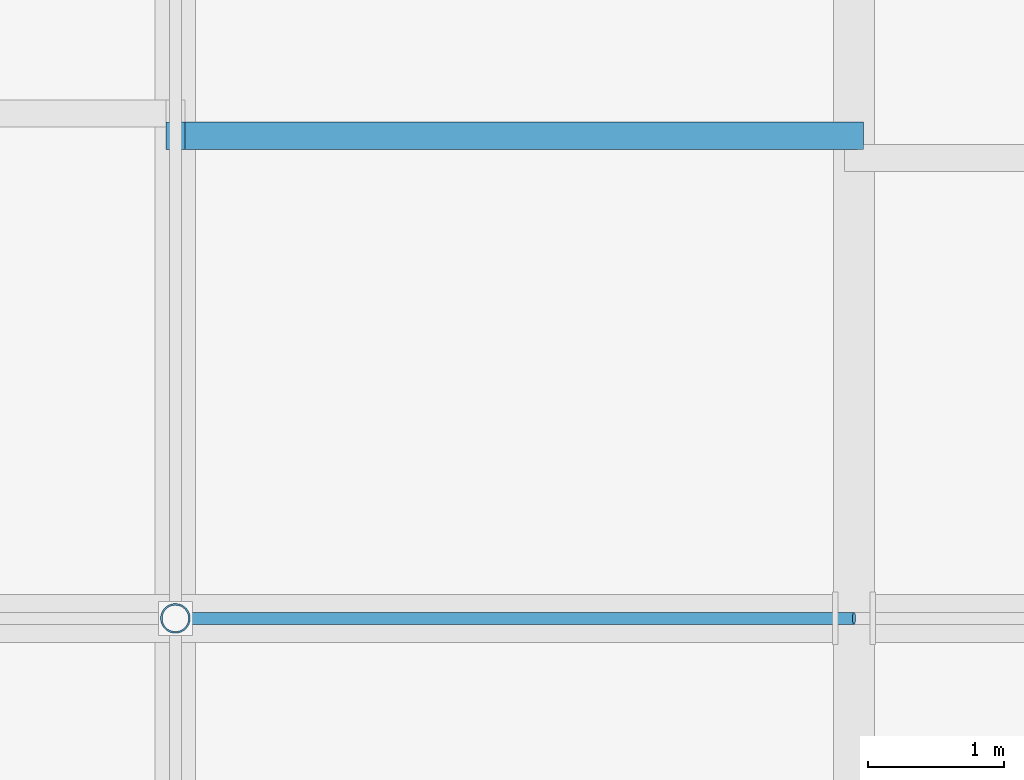
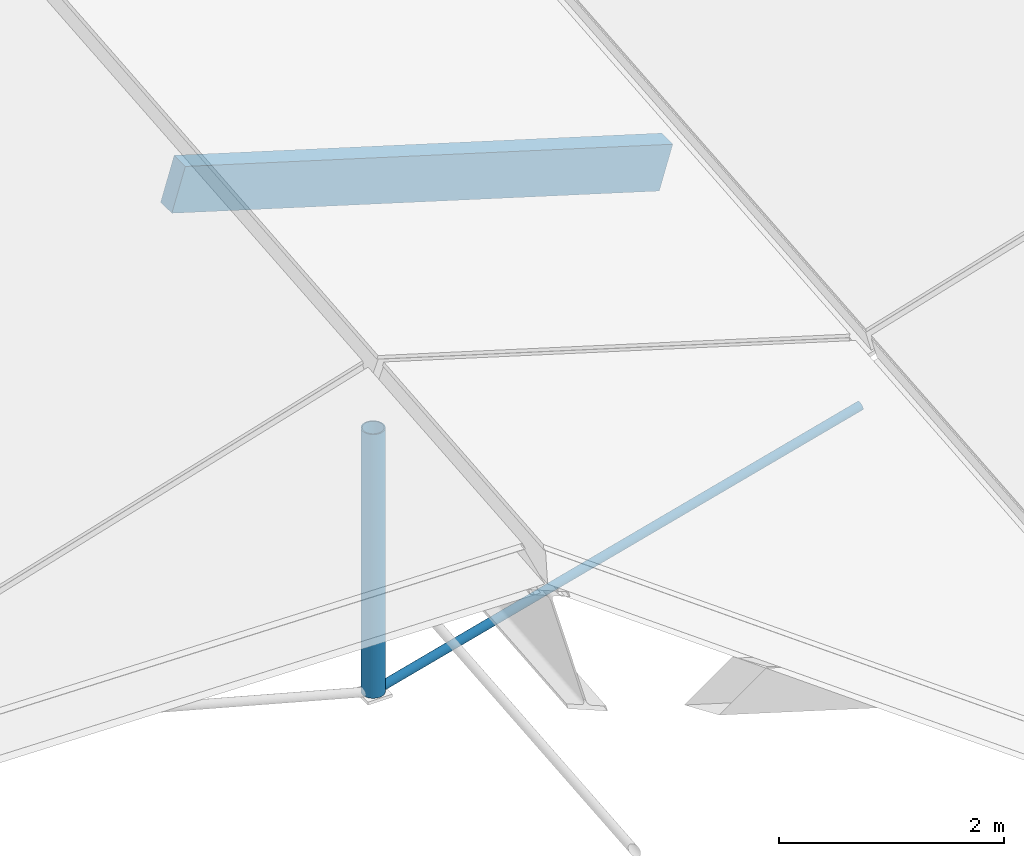
# One storey, part 40 of 90: 3 members.
"""IFC4 building model written with IfcOpenShell, lengths in metres."""

from ifc_helpers import new_model, si_unit, direction, frame, origin, origin_2d, place, context, subcontext, project, spatial, rectangle, circle, hollow_circle, extrude, material, material_profile, profile_set, type_object, element, save


model = new_model("IFC4")

# Units and contexts
model_context = context("Model", 3, precision=1e-05, world=origin(), true_north=direction((0.0, 1.0)))
body_context = subcontext(model_context, "Body", "Model", "MODEL_VIEW")
ifc_project = project(units=[si_unit("LENGTHUNIT", "METRE"), si_unit("AREAUNIT", "SQUARE_METRE"), si_unit("VOLUMEUNIT", "CUBIC_METRE"), si_unit("PLANEANGLEUNIT", "RADIAN"), si_unit("MASSUNIT", "GRAM", prefix="KILO"), si_unit("THERMODYNAMICTEMPERATUREUNIT", "KELVIN"), si_unit("POWERUNIT", "WATT")], contexts=[model_context])

# Site, building, storey
site_placement = place(None, origin())
site = spatial("IfcSite", under=ifc_project, at=site_placement, CompositionType="ELEMENT")
building_placement = place(site_placement, origin())
building = spatial("IfcBuilding", under=site, at=building_placement, Name="Korenveer Ferry Terminal", CompositionType="ELEMENT")
storey_placement = place(building_placement, frame((0.0, 0.0, 22.199951171875)))
storey = spatial("IfcBuildingStorey", under=building, at=storey_placement, Name="RF", CompositionType="ELEMENT", Elevation=22.199951171875)

# Members
ifc_material_1 = material(Name="High-strength steel S460", Category="steel")
ifc_material_profile_1 = material_profile(ifc_material_1, circle(Radius=0.044921875, at=origin_2d()), Name="ROD D90")
ifc_profile_set_1 = profile_set([ifc_material_profile_1], Name="High-strength steel S460")
member_type_1 = type_object("IfcMemberType", Name="STR-CBL-D90", PredefinedType="USERDEFINED", material=ifc_profile_set_1)
member_1_placement = place(storey_placement, frame((103.0, 80.0, -5.95361328125), z_axis=(-0.965424337217, 0.0, -0.260683426993), x_axis=(0.0, -1.0, 0.0)))
element("IfcMember", 1, at=member_1_placement, inside=storey, type_object=member_type_1, Name="Roof tension tie cable 66", ObjectType="CABLE", PredefinedType="USERDEFINED", context=body_context, shape_type="SweptSolid", body=[
    extrude(circle(Radius=0.044921875, at=origin_2d()), origin(), (0.0, 0.0, 1.0), 5.178955078125),
])
ifc_material_2 = material(Name="Glulam GL28h", Category="wood")
ifc_material_profile_2 = material_profile(ifc_material_2, rectangle(XDim=0.199951171875, YDim=0.47998046875, at=origin_2d()), Name="GL 200x480")
ifc_profile_set_2 = profile_set([ifc_material_profile_2], Name="Glulam GL28h")
member_type_2 = type_object("IfcMemberType", Name="STR-PUR-GL200", PredefinedType="PURLIN", material=ifc_profile_set_2)
member_2_placement = place(storey_placement, frame((98.0, 83.5556640625, -3.962646484375), z_axis=(0.957310140112, 0.0, -0.289062788401), x_axis=(0.0, 1.0, 0.0)))
element("IfcMember", 2, at=member_2_placement, inside=storey, type_object=member_type_2, Name="Folded roof glulam purlin 175", PredefinedType="PURLIN", context=body_context, shape_type="SweptSolid", body=[
    extrude(rectangle(XDim=0.199951171875, YDim=0.47998046875, at=origin_2d()), origin(), (0.0, 0.0, 1.0), 5.222900390625),
])
ifc_material_3 = material(Name="Steel S355", Category="steel")
ifc_material_profile_3 = material_profile(ifc_material_3, hollow_circle(Radius=0.109619140625, WallThickness=0.012451171875, at=origin_2d()), Name="CHS 219.1x12.5")
ifc_profile_set_3 = profile_set([ifc_material_profile_3], Name="Steel S355")
member_type_3 = type_object("IfcMemberType", Name="STR-STT-CHS219", PredefinedType="STRUT", material=ifc_profile_set_3)
member_3_placement = place(storey_placement, frame((98.0, 80.0, -7.3037109375), z_axis=(0.0, 0.0, 1.0), x_axis=(1.0, 0.0, 0.0)))
element("IfcMember", 3, at=member_3_placement, inside=storey, type_object=member_type_3, Name="Roof king-post strut STTKP-Y80-B4", PredefinedType="STRUT", context=body_context, shape_type="SweptSolid", body=[
    extrude(hollow_circle(Radius=0.109619140625, WallThickness=0.012451171875, at=origin_2d()), origin(), (0.0, 0.0, 1.0), 2.85986328125),
])

save(model, "model.ifc")
